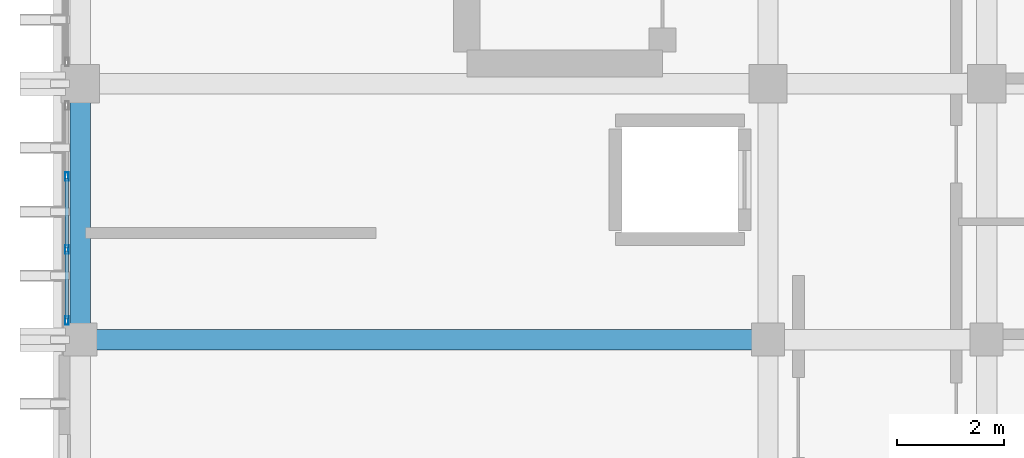
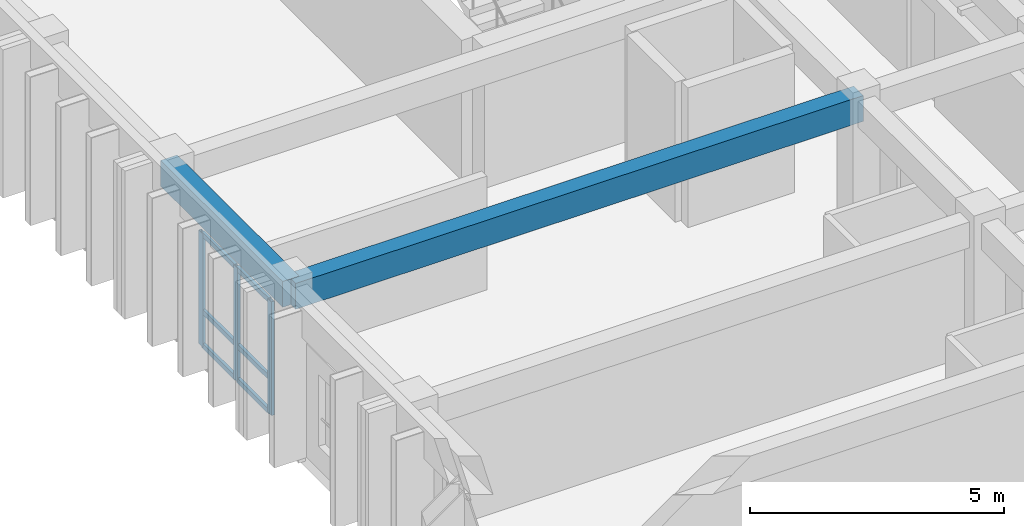
# One storey, part 12 of 59: 9 members, 2 beams, 1 element without a shape of its own.
"""IFC4 building model written with IfcOpenShell, lengths in metres."""

import ifcopenshell
import ifcopenshell.guid

model = None  # the IFC model being written
_history = None  # IfcOwnerHistory: only IFC2X3 demands one
_inside = {}  # id of a spatial element -> (the spatial element, [elements in it])
_under = {}  # id of a project, library or spatial element -> (it, [spatial elements below it])
_declared = {}  # id of a project -> (the project, [libraries it declares])
_typed = {}  # id of a type object -> (the type object, [elements of that type])
_made_of = {}  # id of a material, layer set ... -> (it, [elements and type objects made of it])


def new_model(schema):
    """Start an empty IFC model of exactly this schema.

    Asked for "IFC4X3", IfcOpenShell would pick the latest addendum, in which some entities
    have other attributes; the version numbers below select the first issue.
    IFC2X3 requires an IfcOwnerHistory on every rooted entity: one is made here for all.
    """
    global model, _history
    if schema == "IFC4X3":
        model = ifcopenshell.file(schema_version=(4, 3, 0, 0))
    else:
        model = ifcopenshell.file(schema=schema)
    _inside.clear()
    _under.clear()
    _declared.clear()
    _typed.clear()
    _made_of.clear()
    _history = None
    if model.schema == "IFC2X3":
        org = make("IfcOrganization", Name="unknown")
        user = make(
            "IfcPersonAndOrganization",
            ThePerson=make("IfcPerson", FamilyName="unknown"),
            TheOrganization=org,
        )
        app = make(
            "IfcApplication",
            ApplicationDeveloper=org,
            Version="unknown",
            ApplicationFullName="unknown",
            ApplicationIdentifier="unknown",
        )
        _history = make(
            "IfcOwnerHistory",
            OwningUser=user,
            OwningApplication=app,
            ChangeAction="ADDED",
            CreationDate=0,
        )
    return model


def make(cls, **values):
    """One entity of the class cls with the attributes given. An attribute that is None is left unset."""
    return model.create_entity(
        cls, **{name: value for name, value in values.items() if value is not None}
    )


def rooted(cls, **values):
    """An entity with a GlobalId (a new one), such as an element, a storey or a relation."""
    return make(cls, GlobalId=ifcopenshell.guid.new(), OwnerHistory=_history, **values)


def si_unit(unit_type, name, prefix=None):
    """IfcSIUnit, for example si_unit("LENGTHUNIT", "METRE", prefix="MILLI")."""
    return make("IfcSIUnit", UnitType=unit_type, Prefix=prefix, Name=name)


def assignment(units):
    """IfcUnitAssignment: the units of a project."""
    return None if units is None else make("IfcUnitAssignment", Units=units)


def point(xyz):
    """IfcCartesianPoint."""
    return None if xyz is None else make("IfcCartesianPoint", Coordinates=xyz)


def direction(xyz):
    """IfcDirection."""
    return None if xyz is None else make("IfcDirection", DirectionRatios=xyz)


def frame(location, z_axis=None, x_axis=None):
    """IfcAxis2Placement3D, a coordinate frame: its origin and axes. An axis left out is left unset."""
    return make(
        "IfcAxis2Placement3D",
        Location=point(location),
        Axis=direction(z_axis),
        RefDirection=direction(x_axis),
    )


def frame_2d(location, x_axis=None):
    """IfcAxis2Placement2D, a coordinate frame in the plane: its origin and x axis."""
    return make(
        "IfcAxis2Placement2D", Location=point(location), RefDirection=direction(x_axis)
    )


def origin():
    """The frame at (0, 0, 0) with its axes left unset."""
    return frame((0.0, 0.0, 0.0))


def origin_2d():
    """The frame at (0, 0) in the plane with its x axis left unset."""
    return frame_2d((0.0, 0.0))


def place(relative_to, where):
    """IfcLocalPlacement: puts the frame where relative to a parent placement (None: the world)."""
    return make(
        "IfcLocalPlacement", PlacementRelTo=relative_to, RelativePlacement=where
    )


def context(
    kind, dimensions, precision=None, world=None, true_north=None, identifier=None
):
    """IfcGeometricRepresentationContext, for example the 3D "Model" context."""
    return make(
        "IfcGeometricRepresentationContext",
        ContextIdentifier=identifier,
        ContextType=kind,
        CoordinateSpaceDimension=dimensions,
        Precision=precision,
        WorldCoordinateSystem=world,
        TrueNorth=true_north,
    )


def subcontext(parent, identifier, kind, view, scale=None):
    """IfcGeometricRepresentationSubContext, for example "Body" below "Model"."""
    return make(
        "IfcGeometricRepresentationSubContext",
        ContextIdentifier=identifier,
        ContextType=kind,
        ParentContext=parent,
        TargetScale=scale,
        TargetView=view,
    )


def project(units=None, contexts=None):
    """IfcProject with its units and contexts."""
    return rooted(
        "IfcProject",
        Name="project",
        RepresentationContexts=contexts,
        UnitsInContext=assignment(units),
    )


def spatial(cls, under=None, at=None, **own):
    """A site, building, storey or space (cls), placed at a placement, below another one or the project."""
    s = rooted(cls, ObjectPlacement=at, **own)
    if under is not None:
        _under.setdefault(under.id(), (under, []))[1].append(s)
    return s


def profile(cls, at=None, kind="AREA", **sizes):
    """A parametric profile (cls). Its sizes go by their IFC names, for example OverallWidth=200.0."""
    return make(cls, ProfileType=kind, Position=at, **sizes)


def rectangle(**sizes):
    """IfcRectangleProfileDef."""
    return profile("IfcRectangleProfileDef", **sizes)


def hollow_rectangle(**sizes):
    """IfcRectangleHollowProfileDef."""
    return profile("IfcRectangleHollowProfileDef", **sizes)


def extrude(swept, where, along, depth):
    """IfcExtrudedAreaSolid: the profile swept, set in the frame where, extruded along a direction by depth."""
    return make(
        "IfcExtrudedAreaSolid",
        SweptArea=swept,
        Position=where,
        ExtrudedDirection=direction(along),
        Depth=depth,
    )


def shape(context_of_items, identifier, shape_type, items):
    """IfcShapeRepresentation: the items that make up one representation, for example the "Body"."""
    return make(
        "IfcShapeRepresentation",
        ContextOfItems=context_of_items,
        RepresentationIdentifier=identifier,
        RepresentationType=shape_type,
        Items=items,
    )


def material(Name=None, Category=None):
    """IfcMaterial."""
    return make("IfcMaterial", Name=Name, Category=Category)


def layer(
    of_material, thickness, ventilated=None, Name=None, Category=None, Priority=None
):
    """IfcMaterialLayer: one layer of a wall or slab, of a material (None: an air gap)."""
    return make(
        "IfcMaterialLayer",
        Material=of_material,
        LayerThickness=thickness,
        IsVentilated=ventilated,
        Name=Name,
        Category=Category,
        Priority=Priority,
    )


def layer_set(layers, Name=None):
    """IfcMaterialLayerSet."""
    return make("IfcMaterialLayerSet", MaterialLayers=layers, LayerSetName=Name)


def material_profile(
    of_material, cross_section, Name=None, Category=None, Priority=None
):
    """IfcMaterialProfile: a cross section and its material."""
    return make(
        "IfcMaterialProfile",
        Name=Name,
        Material=of_material,
        Profile=cross_section,
        Priority=Priority,
        Category=Category,
    )


def profile_set(profiles, Name=None, composite=None):
    """IfcMaterialProfileSet."""
    return make(
        "IfcMaterialProfileSet",
        Name=Name,
        MaterialProfiles=profiles,
        CompositeProfile=composite,
    )


def made_of(thing, what):
    """Note that an element or type object is made of a material, layer set ...; save() writes the relation."""
    if what is not None:
        _made_of.setdefault(what.id(), (what, []))[1].append(thing)
    return thing


def type_object(cls, material=None, **own):
    """A type object (cls), such as IfcWallType, which elements share."""
    return made_of(rooted(cls, **own), material)


def element(
    cls,
    number,
    at=None,
    inside=None,
    cuts=None,
    type_object=None,
    material=None,
    context=None,
    identifier="Body",
    shape_type=None,
    held_by="IfcProductDefinitionShape",
    body=None,
    shapes=None,
    **own,
):
    """One element of the class cls, such as IfcWall. Its Tag is "e" and its number.

    at: its placement. inside: the storey or other place that contains it. cuts: it is an
    opening in that element (IfcRelVoidsElement). A single representation is given by context,
    identifier, shape_type and body (its items); several are given by shapes. held_by: the class
    of the entity that holds the representations. save() writes the other relations.
    """
    e = rooted(cls, Tag="e%d" % number, ObjectPlacement=at, **own)
    if body is not None:
        shapes = [shape(context, identifier, shape_type, body)]
    if shapes is not None:
        e.Representation = make(held_by, Representations=shapes)
    if inside is not None:
        _inside.setdefault(inside.id(), (inside, []))[1].append(e)
    if cuts is not None:
        rooted(
            "IfcRelVoidsElement", RelatingBuildingElement=cuts, RelatedOpeningElement=e
        )
    if type_object is not None:
        _typed.setdefault(type_object.id(), (type_object, []))[1].append(e)
    return made_of(e, material)


def aggregate(whole, parts):
    """IfcRelAggregates: a whole, such as a stair, and the parts it consists of."""
    return rooted("IfcRelAggregates", RelatingObject=whole, RelatedObjects=parts)


def save(model, path):
    """Write the relations noted so far, then the file.

    IfcRelAggregates (storeys below a building ...), IfcRelContainedInSpatialStructure (elements
    in a storey), IfcRelDefinesByType, IfcRelAssociatesMaterial and IfcRelDeclares: one each for
    every whole, place, type object, material and project.
    """
    for whole, parts in _under.values():
        aggregate(whole, parts)
    for where, things in _inside.values():
        rooted(
            "IfcRelContainedInSpatialStructure",
            RelatedElements=things,
            RelatingStructure=where,
        )
    for kind, things in _typed.values():
        rooted("IfcRelDefinesByType", RelatedObjects=things, RelatingType=kind)
    for what, things in _made_of.values():
        rooted("IfcRelAssociatesMaterial", RelatedObjects=things, RelatingMaterial=what)
    for by, libraries in _declared.values():
        rooted("IfcRelDeclares", RelatingContext=by, RelatedDefinitions=libraries)
    model.write(path)


model = new_model("IFC4")

# Units and contexts
model_context = context("Model", 3, precision=1e-05, world=origin(), true_north=direction((0.0, 1.0)))
body_context = subcontext(model_context, "Body", "Model", "MODEL_VIEW")
ifc_project = project(units=[si_unit("LENGTHUNIT", "METRE"), si_unit("AREAUNIT", "SQUARE_METRE"), si_unit("VOLUMEUNIT", "CUBIC_METRE"), si_unit("PLANEANGLEUNIT", "RADIAN"), si_unit("MASSUNIT", "GRAM", prefix="KILO")], contexts=[model_context])

# Site, building, storey
site_placement = place(None, origin())
site = spatial("IfcSite", under=ifc_project, at=site_placement, CompositionType="ELEMENT")
building_placement = place(site_placement, origin())
building = spatial("IfcBuilding", under=site, at=building_placement, Name="Nakhvara Creek Congress Hotel", CompositionType="ELEMENT")
storey_placement = place(building_placement, frame((0.0, 0.0, 31.800048828125)))
storey = spatial("IfcBuildingStorey", under=building, at=storey_placement, Name="L07", CompositionType="ELEMENT", Elevation=31.800048828125)

# Beams
ifc_material_1 = material(Name="Concrete C40/50", Category="concrete")
ifc_material_profile_1 = material_profile(ifc_material_1, rectangle(XDim=0.3798828125, YDim=0.6201171875, at=origin_2d()), Name="RC-BM 380x620", Category="LoadBearing")
ifc_profile_set_1 = profile_set([ifc_material_profile_1], Name="Concrete C40/50")
beam_type = type_object("IfcBeamType", Name="BM-RC-380X620", PredefinedType="BEAM", material=ifc_profile_set_1)
beam_1_placement = place(storey_placement, frame((149.449951171875, 72.0, 3.050048828125), z_axis=(0.0, 1.0, 0.0), x_axis=(-1.0, 0.0, 0.0)))
element("IfcBeam", 1, at=beam_1_placement, inside=storey, type_object=beam_type, Name="Beam B10-L07-2327", PredefinedType="BEAM", context=body_context, shape_type="SweptSolid", body=[
    extrude(rectangle(XDim=0.3798828125, YDim=0.6201171875, at=origin_2d()), origin(), (0.0, 0.0, 1.0), 4.800048828125),
])
beam_2_placement = place(storey_placement, frame((149.449951171875, 72.0, 3.050048828125), z_axis=(1.0, 0.0, 0.0), x_axis=(0.0, 1.0, 0.0)))
element("IfcBeam", 2, at=beam_2_placement, inside=storey, type_object=beam_type, Name="Beam B10-L07-2409", PredefinedType="BEAM", context=body_context, shape_type="SweptSolid", body=[
    extrude(rectangle(XDim=0.3798828125, YDim=0.6201171875, at=origin_2d()), origin(), (0.0, 0.0, 1.0), 12.900146484375),
])

# Curtain wall, members
ifc_material_2 = material(Name="Bronze-anodised aluminium AW-6063-T6 and double-silver low-E glass", Category="aluminium")
ifc_layer = layer(ifc_material_2, 0.199951171875)
ifc_layer_set = layer_set([ifc_layer], Name="Bronze-anodised aluminium AW-6063-T6 and double-silver low-E glass")
curtain_wall_type = type_object("IfcCurtainWallType", Name="CW-HTL-UNIT", PredefinedType="USERDEFINED", material=ifc_layer_set)
curtain_wall_placement = place(storey_placement, origin())
curtain_wall = element("IfcCurtainWall", 3, at=curtain_wall_placement, inside=storey, type_object=curtain_wall_type, Name="Curtain Wall CW260", ObjectType="UNITISED", PredefinedType="USERDEFINED")
ifc_material_3 = material(Name="Bronze-anodised aluminium AW-6063-T6", Category="aluminium")
ifc_material_profile_2 = material_profile(ifc_material_3, hollow_rectangle(XDim=0.06494140625, YDim=0.159912109375, WallThickness=0.00390625, at=origin_2d()), Name="ALU-MULL 65x160x4", Category="LoadBearing")
ifc_profile_set_2 = profile_set([ifc_material_profile_2], Name="Bronze-anodised aluminium AW-6063-T6")
member_type_1 = type_object("IfcMemberType", Name="CW-MULL-160", PredefinedType="MULLION", material=ifc_profile_set_2)
member_1_placement = place(storey_placement, frame((149.199951171875, 72.357421875, 0.0), z_axis=(0.0, 0.0, 1.0), x_axis=(-1.0, 0.0, 0.0)))
member_1 = element("IfcMember", 4, at=member_1_placement, type_object=member_type_1, Name="CW260 mullion 1", PredefinedType="MULLION", context=body_context, shape_type="SweptSolid", body=[
    extrude(hollow_rectangle(XDim=0.06494140625, YDim=0.159912109375, WallThickness=0.00390625, at=origin_2d()), origin(), (0.0, 0.0, 1.0), 2.73193359375),
])
member_2_placement = place(storey_placement, frame((149.199951171875, 73.691650390625, 0.0), z_axis=(0.0, 0.0, 1.0), x_axis=(-1.0, 0.0, 0.0)))
member_2 = element("IfcMember", 5, at=member_2_placement, type_object=member_type_1, Name="CW260 mullion 2", PredefinedType="MULLION", context=body_context, shape_type="SweptSolid", body=[
    extrude(hollow_rectangle(XDim=0.06494140625, YDim=0.159912109375, WallThickness=0.00390625, at=origin_2d()), origin(), (0.0, 0.0, 1.0), 2.73193359375),
])
member_3_placement = place(storey_placement, frame((149.199951171875, 75.058349609375, 0.0), z_axis=(0.0, 0.0, 1.0), x_axis=(-1.0, 0.0, 0.0)))
member_3 = element("IfcMember", 6, at=member_3_placement, type_object=member_type_1, Name="CW260 mullion 3", PredefinedType="MULLION", context=body_context, shape_type="SweptSolid", body=[
    extrude(hollow_rectangle(XDim=0.06494140625, YDim=0.159912109375, WallThickness=0.00390625, at=origin_2d()), origin(), (0.0, 0.0, 1.0), 2.73193359375),
])
ifc_material_profile_3 = material_profile(ifc_material_3, hollow_rectangle(XDim=0.06494140625, YDim=0.1201171875, WallThickness=0.00390625, at=origin_2d()), Name="ALU-TRAN 65x120x4", Category="LoadBearing")
ifc_profile_set_3 = profile_set([ifc_material_profile_3], Name="Bronze-anodised aluminium AW-6063-T6")
member_type_2 = type_object("IfcMemberType", Name="CW-TRAN-120", PredefinedType="USERDEFINED", material=ifc_profile_set_3)
member_4_placement = place(storey_placement, frame((149.199951171875, 72.389892578125, 0.032470703125), z_axis=(0.0, 1.0, 0.0), x_axis=(-1.0, 0.0, 0.0)))
member_4 = element("IfcMember", 7, at=member_4_placement, type_object=member_type_2, Name="CW260 transom 1.1", ObjectType="TRANSOM", PredefinedType="USERDEFINED", context=body_context, shape_type="SweptSolid", body=[
    extrude(hollow_rectangle(XDim=0.06494140625, YDim=0.1201171875, WallThickness=0.00390625, at=origin_2d()), origin(), (0.0, 0.0, 1.0), 1.269287109375),
])
member_5_placement = place(storey_placement, frame((149.199951171875, 72.389892578125, 0.849853515625), z_axis=(0.0, 1.0, 0.0), x_axis=(-1.0, 0.0, 0.0)))
member_5 = element("IfcMember", 8, at=member_5_placement, type_object=member_type_2, Name="CW260 transom 1.2", ObjectType="TRANSOM", PredefinedType="USERDEFINED", context=body_context, shape_type="SweptSolid", body=[
    extrude(hollow_rectangle(XDim=0.06494140625, YDim=0.1201171875, WallThickness=0.00390625, at=origin_2d()), origin(), (0.0, 0.0, 1.0), 1.269287109375),
])
member_6_placement = place(storey_placement, frame((149.199951171875, 72.389892578125, 2.699462890625), z_axis=(0.0, 1.0, 0.0), x_axis=(-1.0, 0.0, 0.0)))
member_6 = element("IfcMember", 9, at=member_6_placement, type_object=member_type_2, Name="CW260 transom 1.3", ObjectType="TRANSOM", PredefinedType="USERDEFINED", context=body_context, shape_type="SweptSolid", body=[
    extrude(hollow_rectangle(XDim=0.06494140625, YDim=0.1201171875, WallThickness=0.00390625, at=origin_2d()), origin(), (0.0, 0.0, 1.0), 1.269287109375),
])
member_7_placement = place(storey_placement, frame((149.199951171875, 73.72412109375, 0.032470703125), z_axis=(0.0, 1.0, 0.0), x_axis=(-1.0, 0.0, 0.0)))
member_7 = element("IfcMember", 10, at=member_7_placement, type_object=member_type_2, Name="CW260 transom 2.1", ObjectType="TRANSOM", PredefinedType="USERDEFINED", context=body_context, shape_type="SweptSolid", body=[
    extrude(hollow_rectangle(XDim=0.06494140625, YDim=0.1201171875, WallThickness=0.00390625, at=origin_2d()), origin(), (0.0, 0.0, 1.0), 1.3017578125),
])
member_8_placement = place(storey_placement, frame((149.199951171875, 73.72412109375, 0.849853515625), z_axis=(0.0, 1.0, 0.0), x_axis=(-1.0, 0.0, 0.0)))
member_8 = element("IfcMember", 11, at=member_8_placement, type_object=member_type_2, Name="CW260 transom 2.2", ObjectType="TRANSOM", PredefinedType="USERDEFINED", context=body_context, shape_type="SweptSolid", body=[
    extrude(hollow_rectangle(XDim=0.06494140625, YDim=0.1201171875, WallThickness=0.00390625, at=origin_2d()), origin(), (0.0, 0.0, 1.0), 1.3017578125),
])
member_9_placement = place(storey_placement, frame((149.199951171875, 73.72412109375, 2.699462890625), z_axis=(0.0, 1.0, 0.0), x_axis=(-1.0, 0.0, 0.0)))
member_9 = element("IfcMember", 12, at=member_9_placement, type_object=member_type_2, Name="CW260 transom 2.3", ObjectType="TRANSOM", PredefinedType="USERDEFINED", context=body_context, shape_type="SweptSolid", body=[
    extrude(hollow_rectangle(XDim=0.06494140625, YDim=0.1201171875, WallThickness=0.00390625, at=origin_2d()), origin(), (0.0, 0.0, 1.0), 1.3017578125),
])
aggregate(curtain_wall, [member_1, member_2, member_3, member_4, member_5, member_6, member_7, member_8, member_9])

save(model, "model.ifc")
